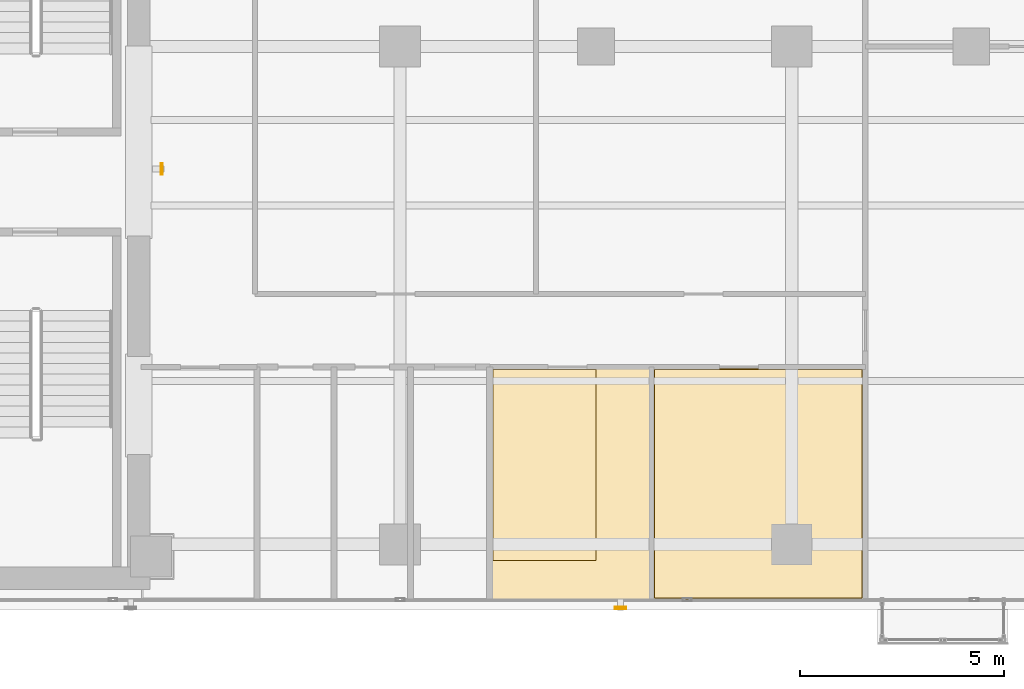
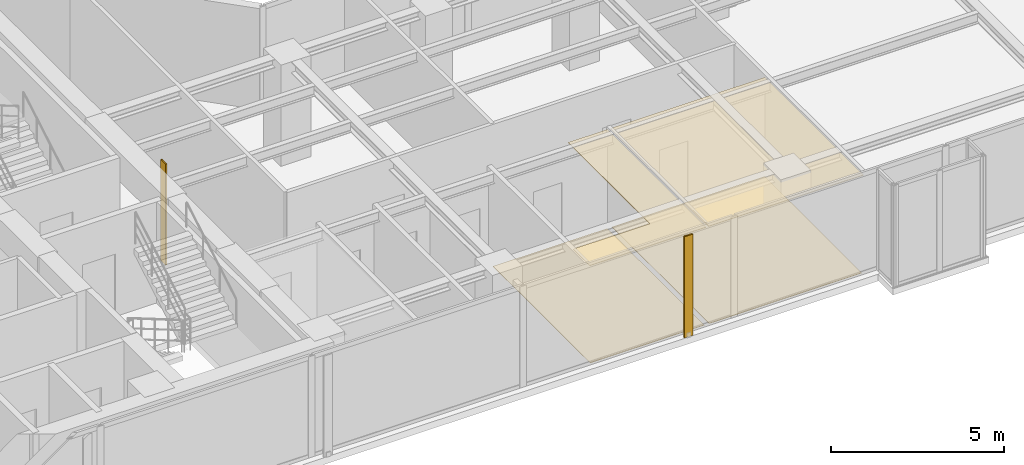
# One storey, part 20 of 23: 4 coverings, 2 shading devices.
"""IFC4 building model written with IfcOpenShell, lengths in metres."""

from ifc_helpers import new_model, si_unit, direction, frame, origin, origin_2d, place, context, subcontext, project, spatial, polyline, hollow_rectangle, outline, extrude, material, layer, layer_set, material_profile, profile_set, type_object, element, save


model = new_model("IFC4")

# Units and contexts
model_context = context("Model", 3, precision=1e-05, world=origin(), true_north=direction((0.0, 1.0)))
body_context = subcontext(model_context, "Body", "Model", "MODEL_VIEW")
ifc_project = project(units=[si_unit("LENGTHUNIT", "METRE"), si_unit("AREAUNIT", "SQUARE_METRE"), si_unit("VOLUMEUNIT", "CUBIC_METRE"), si_unit("PLANEANGLEUNIT", "RADIAN"), si_unit("MASSUNIT", "GRAM", prefix="KILO")], contexts=[model_context])

# Site, building, storey
site_placement = place(None, origin())
site = spatial("IfcSite", under=ifc_project, at=site_placement, CompositionType="ELEMENT")
building_placement = place(site_placement, origin())
building = spatial("IfcBuilding", under=site, at=building_placement, Name="Kolvaren Waterfront Exchange", CompositionType="ELEMENT")
storey_placement = place(building_placement, frame((0.0, 0.0, 242.5)))
storey = spatial("IfcBuildingStorey", under=building, at=storey_placement, Name="L62", CompositionType="ELEMENT", Elevation=242.5)

# Coverings
ifc_material_1 = material(Name="Mineral fibre acoustic ceiling tile")
ifc_layer_1 = layer(ifc_material_1, 0.02490234375, Name="Mineral fibre acoustic ceiling tile")
ifc_layer_set_1 = layer_set([ifc_layer_1], Name="Mineral fibre acoustic ceiling tile")
covering_type_1 = type_object("IfcCoveringType", Name="ARC-CEIL-ACOUSTIC-25", PredefinedType="CEILING", material=ifc_layer_set_1)
covering_1_placement = place(storey_placement, frame((0.0, 0.0, 3.445068359375)))
element("IfcCovering", 1, at=covering_1_placement, inside=storey, type_object=covering_type_1, Name="L62 acoustic suspended ceiling 2", PredefinedType="CEILING", context=body_context, shape_type="SweptSolid", body=[
    extrude(outline(polyline([(33.31494140625, 3.844970703125), (33.31494140625, 9.514892578125), (32.0, 9.514892578125), (32.0, 4.800048828125), (29.445068359375, 4.800048828125), (29.445068359375, 3.844970703125), (33.31494140625, 3.844970703125)])), origin(), (0.0, 0.0, 1.0), 0.02490234375),
])
covering_2_placement = place(storey_placement, frame((0.0, 0.0, 3.445068359375)))
element("IfcCovering", 2, at=covering_2_placement, inside=storey, type_object=covering_type_1, Name="L62 acoustic suspended ceiling 3", PredefinedType="CEILING", context=body_context, shape_type="SweptSolid", body=[
    extrude(outline(polyline([(38.554931640625, 3.844970703125), (38.554931640625, 9.514892578125), (33.405029296875, 9.514892578125), (33.405029296875, 3.844970703125), (38.554931640625, 3.844970703125)])), origin(), (0.0, 0.0, 1.0), 0.02490234375),
])

# Shading devices
ifc_material_2 = material(Name="Anodised bronze aluminium 6063-T6", Category="aluminium")
ifc_material_profile = material_profile(ifc_material_2, hollow_rectangle(XDim=0.054931640625, YDim=0.280029296875, WallThickness=0.00439453125, at=origin_2d()), Name="BRZ-FIN-280x55x4.5")
ifc_profile_set = profile_set([ifc_material_profile], Name="Anodised bronze aluminium 6063-T6")
shading_device_type = type_object("IfcShadingDeviceType", Name="ARC-FIN-280", PredefinedType="USERDEFINED", material=ifc_profile_set)
for number, where, z_axis, x_axis, name in (
    (3, (32.60009765625, 3.639892578125, 0.0), (0.0, 0.0, 1.0), (0.0, -1.0, 0.0), "L62 anodised bronze solar shading fin FIN-L62-S3"),
    (4, (21.360107421875, 14.39990234375, 0.0), (0.0, 0.0, 1.0), (1.0, 0.0, 0.0), "L62 anodised bronze solar shading fin FIN-L62-E1"),
):
    element("IfcShadingDevice", number, at=place(storey_placement, frame(where, z_axis=z_axis, x_axis=x_axis)), inside=storey, type_object=shading_device_type, Name=name, ObjectType="SOLAR FIN", PredefinedType="USERDEFINED", context=body_context, shape_type="SweptSolid", body=[
        extrude(hollow_rectangle(XDim=0.054931640625, YDim=0.280029296875, WallThickness=0.00439453125, at=origin_2d()), origin(), (0.0, 0.0, 1.0), 3.56005859375),
    ])

# Coverings
ifc_material_3 = material(Name="Slip-resistant porcelain tile")
ifc_layer_2 = layer(ifc_material_3, 0.014892578125, Name="Slip-resistant porcelain tile")
ifc_layer_set_2 = layer_set([ifc_layer_2], Name="Slip-resistant porcelain tile")
covering_type_2 = type_object("IfcCoveringType", Name="ARC-FLR-PORC-15", PredefinedType="FLOORING", material=ifc_layer_set_2)
covering_3_placement = place(storey_placement, origin())
element("IfcCovering", 5, at=covering_3_placement, inside=storey, type_object=covering_type_2, Name="L62 floor finish 2", PredefinedType="FLOORING", context=body_context, shape_type="SweptSolid", body=[
    extrude(outline(polyline([(29.47998046875, 9.47998046875), (29.47998046875, 3.8798828125), (33.280029296875, 3.8798828125), (33.280029296875, 9.47998046875), (29.47998046875, 9.47998046875)])), origin(), (0.0, 0.0, 1.0), 0.014892578125),
])
covering_4_placement = place(storey_placement, origin())
element("IfcCovering", 6, at=covering_4_placement, inside=storey, type_object=covering_type_2, Name="L62 floor finish 3", PredefinedType="FLOORING", context=body_context, shape_type="SweptSolid", body=[
    extrude(outline(polyline([(33.43994140625, 9.47998046875), (33.43994140625, 3.8798828125), (38.52001953125, 3.8798828125), (38.52001953125, 9.47998046875), (33.43994140625, 9.47998046875)])), origin(), (0.0, 0.0, 1.0), 0.014892578125),
])

save(model, "model.ifc")
